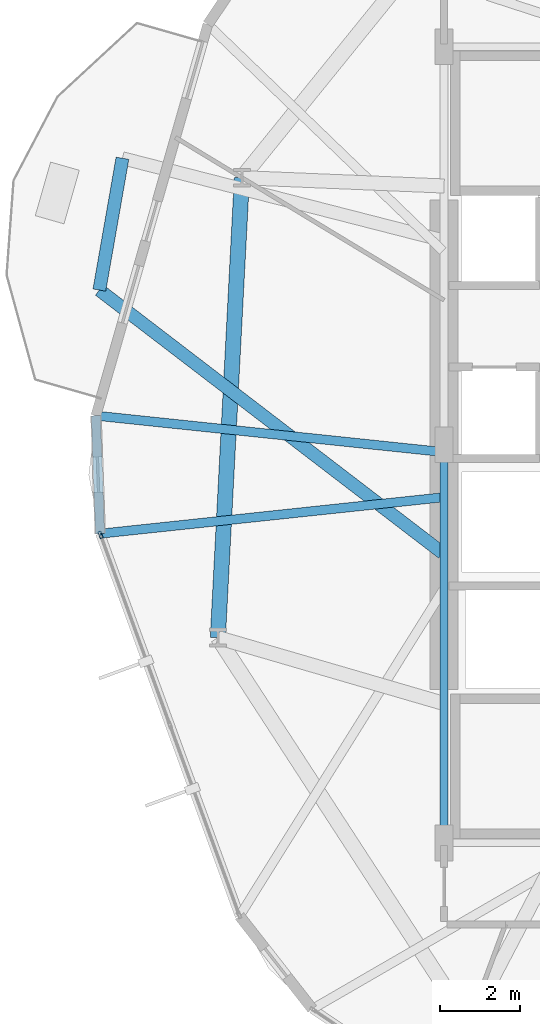
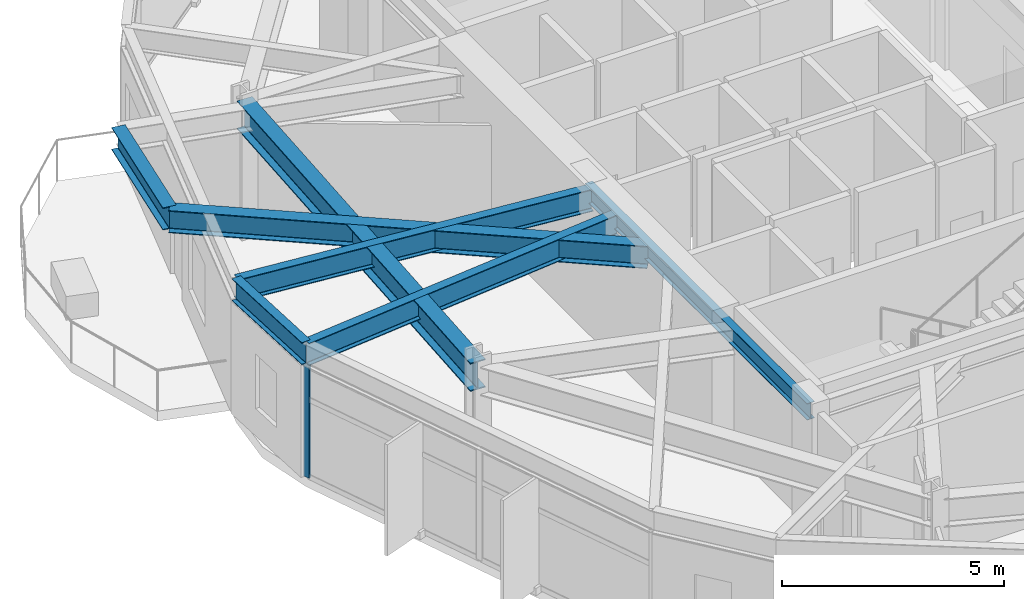
# One storey, part 7 of 21: 7 beams, 1 member, 1 element without a shape of its own.
"""IFC4 building model written with IfcOpenShell, lengths in metres."""

from ifc_helpers import new_model, si_unit, direction, frame, origin, origin_2d, place, context, subcontext, project, spatial, hollow_rectangle, i_section, extrude, material, layer, layer_set, material_profile, profile_set, type_object, element, aggregate, save


model = new_model("IFC4")

# Units and contexts
model_context = context("Model", 3, precision=1e-05, world=origin(), true_north=direction((0.0, 1.0)))
body_context = subcontext(model_context, "Body", "Model", "MODEL_VIEW")
ifc_project = project(units=[si_unit("LENGTHUNIT", "METRE"), si_unit("AREAUNIT", "SQUARE_METRE"), si_unit("VOLUMEUNIT", "CUBIC_METRE"), si_unit("PLANEANGLEUNIT", "RADIAN"), si_unit("MASSUNIT", "GRAM", prefix="KILO")], contexts=[model_context])

# Site, building, storey
site_placement = place(None, origin())
site = spatial("IfcSite", under=ifc_project, at=site_placement, CompositionType="ELEMENT")
building_placement = place(site_placement, origin())
building = spatial("IfcBuilding", under=site, at=building_placement, Name="Soratama Intermodal Tower", CompositionType="ELEMENT")
storey_placement = place(building_placement, frame((0.0, 0.0, 34.60009765625)))
storey = spatial("IfcBuildingStorey", under=building, at=storey_placement, Name="L07", CompositionType="ELEMENT", Elevation=34.60009765625)

# Beams
ifc_material_1 = material(Name="Structural steel ASTM A992 Grade 50", Category="steel")
ifc_material_profile_1 = material_profile(ifc_material_1, i_section(OverallWidth=0.324951171875, OverallDepth=0.615966796875, WebThickness=0.013916015625, FlangeThickness=0.021484375, FilletRadius=0.013916015625, at=origin_2d()), Name="W24X117")
ifc_profile_set_1 = profile_set([ifc_material_profile_1], Name="Structural steel ASTM A992 Grade 50")
beam_type_1 = type_object("IfcBeamType", Name="BM-CANT-W24X117", PredefinedType="BEAM", material=ifc_profile_set_1)
beam_1_placement = place(storey_placement, frame((24.52197265625, 32.197021484375, 3.391845703125), z_axis=(-0.172567076976, -0.984997768497, 0.0), x_axis=(0.984997768497, -0.172567076976, 0.0)))
element("IfcBeam", 1, at=beam_1_placement, inside=storey, type_object=beam_type_1, Name="BM-L07-CBHDR-3", PredefinedType="BEAM", context=body_context, shape_type="SweptSolid", body=[
    extrude(i_section(OverallWidth=0.324951171875, OverallDepth=0.615966796875, WebThickness=0.013916015625, FlangeThickness=0.021484375, FilletRadius=0.013916015625, at=origin_2d()), origin(), (0.0, 0.0, 1.0), 3.361572265625),
])
beam_2_placement = place(storey_placement, frame((32.568115234375, 22.277099609375, 3.391845703125), z_axis=(-0.793808453009, 0.608167855063, 0.0), x_axis=(-0.608167855063, -0.793808453009, 0.0)))
element("IfcBeam", 2, at=beam_2_placement, inside=storey, type_object=beam_type_1, Name="BM-L07-CANT-3-2", PredefinedType="BEAM", context=body_context, shape_type="SweptSolid", body=[
    extrude(i_section(OverallWidth=0.324951171875, OverallDepth=0.615966796875, WebThickness=0.013916015625, FlangeThickness=0.021484375, FilletRadius=0.013916015625, at=origin_2d()), origin(), (0.0, 0.0, 1.0), 10.866943359375),
])
ifc_material_2 = material(Name="Structural steel ASTM A992 Grade 50", Category="steel")
ifc_material_profile_2 = material_profile(ifc_material_2, i_section(OverallWidth=0.19091796875, OverallDepth=0.4599609375, WebThickness=0.010009765625, FlangeThickness=0.01611328125, FilletRadius=0.010986328125, at=origin_2d()), Name="W18X55")
ifc_profile_set_2 = profile_set([ifc_material_profile_2], Name="Structural steel ASTM A992 Grade 50")
beam_type_2 = type_object("IfcBeamType", Name="BM-FLR-W18X55", PredefinedType="BEAM", material=ifc_profile_set_2)
beam_3_placement = place(storey_placement, frame((32.60009765625, 25.0, 3.469970703125), z_axis=(0.0, -1.0, 0.0), x_axis=(1.0, 0.0, 0.0)))
element("IfcBeam", 3, at=beam_3_placement, inside=storey, type_object=beam_type_2, Name="BM-L07-CRING-09", PredefinedType="BEAM", context=body_context, shape_type="SweptSolid", body=[
    extrude(i_section(OverallWidth=0.19091796875, OverallDepth=0.4599609375, WebThickness=0.010009765625, FlangeThickness=0.01611328125, FilletRadius=0.010986328125, at=origin_2d()), origin(), (0.0, 0.0, 1.0), 10.0),
])
ifc_material_3 = material(Name="Structural steel ASTM A992 Grade 50", Category="steel")
ifc_material_profile_3 = material_profile(ifc_material_3, i_section(OverallWidth=0.382080078125, OverallDepth=0.779052734375, WebThickness=0.01806640625, FlangeThickness=0.030029296875, FilletRadius=0.01806640625, at=origin_2d()), Name="W30X191")
ifc_profile_set_3 = profile_set([ifc_material_profile_3], Name="Structural steel ASTM A992 Grade 50")
beam_type_3 = type_object("IfcBeamType", Name="BM-RING-W30X191", PredefinedType="BEAM", material=ifc_profile_set_3)
beam_4_placement = place(storey_placement, frame((27.52294921875, 31.708984375, 3.310302734375), z_axis=(-0.052289698717, -0.998631957935, 0.0), x_axis=(0.998631957935, -0.052289698717, 0.0)))
element("IfcBeam", 4, at=beam_4_placement, inside=storey, type_object=beam_type_3, Name="BM-L07-RING-05", PredefinedType="BEAM", context=body_context, shape_type="SweptSolid", body=[
    extrude(i_section(OverallWidth=0.382080078125, OverallDepth=0.779052734375, WebThickness=0.01806640625, FlangeThickness=0.030029296875, FilletRadius=0.01806640625, at=origin_2d()), origin(), (0.0, 0.0, 1.0), 11.56982421875),
])
ifc_material_4 = material(Name="Structural steel ASTM A992 Grade 50", Category="steel")
ifc_material_profile_4 = material_profile(ifc_material_4, i_section(OverallWidth=0.22900390625, OverallDepth=0.612060546875, WebThickness=0.011962890625, FlangeThickness=0.01953125, FilletRadius=0.012939453125, at=origin_2d()), Name="W24X84")
ifc_profile_set_4 = profile_set([ifc_material_profile_4], Name="Structural steel ASTM A992 Grade 50")
beam_type_4 = type_object("IfcBeamType", Name="BM-SPN-W24X84", PredefinedType="SPANDREL", material=ifc_profile_set_4)
beam_5_placement = place(storey_placement, frame((23.85400390625, 25.73095703125, 3.393798828125), z_axis=(0.035715012738, -0.99936201542, 0.0), x_axis=(0.99936201542, 0.035715012738, 0.0)))
element("IfcBeam", 5, at=beam_5_placement, inside=storey, type_object=beam_type_4, Name="BS-L07-CRN05", PredefinedType="SPANDREL", context=body_context, shape_type="SweptSolid", body=[
    extrude(i_section(OverallWidth=0.22900390625, OverallDepth=0.612060546875, WebThickness=0.011962890625, FlangeThickness=0.01953125, FilletRadius=0.012939453125, at=origin_2d()), origin(), (0.0, 0.0, 1.0), 2.966796875),
])
ifc_material_5 = material(Name="Structural steel ASTM A992 Grade 50", Category="steel")
ifc_material_profile_5 = material_profile(ifc_material_5, i_section(OverallWidth=0.22900390625, OverallDepth=0.612060546875, WebThickness=0.011962890625, FlangeThickness=0.01953125, FilletRadius=0.012939453125, at=origin_2d()), Name="W24X84")
ifc_profile_set_5 = profile_set([ifc_material_profile_5], Name="Structural steel ASTM A992 Grade 50")
beam_type_5 = type_object("IfcBeamType", Name="BM-TIE-W24X84", PredefinedType="BEAM", material=ifc_profile_set_5)
beam_6_placement = place(storey_placement, frame((32.56005859375, 24.819091796875, 3.393798828125), z_axis=(-0.994559571272, 0.104169377417, 0.0), x_axis=(-0.104169377417, -0.994559571272, 0.0)))
element("IfcBeam", 6, at=beam_6_placement, inside=storey, type_object=beam_type_5, Name="BM-L07-TIE1-05", PredefinedType="BEAM", context=body_context, shape_type="SweptSolid", body=[
    extrude(i_section(OverallWidth=0.22900390625, OverallDepth=0.612060546875, WebThickness=0.011962890625, FlangeThickness=0.01953125, FilletRadius=0.012939453125, at=origin_2d()), origin(), (0.0, 0.0, 1.0), 8.753662109375),
])
beam_7_placement = place(storey_placement, frame((32.56005859375, 23.678955078125, 3.393798828125), z_axis=(-0.994413968327, -0.10555027047, 0.0), x_axis=(0.10555027047, -0.994413968327, 0.0)))
element("IfcBeam", 7, at=beam_7_placement, inside=storey, type_object=beam_type_5, Name="BM-L07-TIE0-06", PredefinedType="BEAM", context=body_context, shape_type="SweptSolid", body=[
    extrude(i_section(OverallWidth=0.22900390625, OverallDepth=0.612060546875, WebThickness=0.011962890625, FlangeThickness=0.01953125, FilletRadius=0.012939453125, at=origin_2d()), origin(), (0.0, 0.0, 1.0), 8.6484375),
])

# Curtain wall, member
ifc_material_6 = material(Name="Double-glazed aluminium curtain wall", Category="aluminium")
ifc_layer = layer(ifc_material_6, 0.159912109375)
ifc_layer_set = layer_set([ifc_layer], Name="Double-glazed aluminium curtain wall")
curtain_wall_type = type_object("IfcCurtainWallType", Name="CW-SYS-2", PredefinedType="NOTDEFINED", material=ifc_layer_set)
curtain_wall_placement = place(storey_placement, origin())
curtain_wall = element("IfcCurtainWall", 8, at=curtain_wall_placement, inside=storey, type_object=curtain_wall_type, Name="L07 Faceted Curtain Wall F06", PredefinedType="NOTDEFINED")
ifc_material_7 = material(Name="Anodised aluminium AA 6063-T6", Category="aluminium")
ifc_material_profile_6 = material_profile(ifc_material_7, hollow_rectangle(XDim=0.074951171875, YDim=0.179931640625, WallThickness=0.006103515625, InnerFilletRadius=0.006103515625, OuterFilletRadius=0.011962890625, at=origin_2d()), Name="CWM180X75X6")
ifc_profile_set_6 = profile_set([ifc_material_profile_6], Name="Anodised aluminium AA 6063-T6")
member_type = type_object("IfcMemberType", Name="MT-CWM-2", PredefinedType="MULLION", material=ifc_profile_set_6)
member_placement = place(storey_placement, frame((23.97021484375, 22.738037109375, 0.0), z_axis=(0.0, 0.0, 1.0), x_axis=(0.939452518912, 0.342679098735, 0.0)))
member = element("IfcMember", 9, at=member_placement, type_object=member_type, Name="CW-2 mullion 1", PredefinedType="MULLION", context=body_context, shape_type="SweptSolid", body=[
    extrude(hollow_rectangle(XDim=0.074951171875, YDim=0.179931640625, WallThickness=0.006103515625, InnerFilletRadius=0.006103515625, OuterFilletRadius=0.011962890625, at=origin_2d()), origin(), (0.0, 0.0, 1.0), 3.078857421875),
])
aggregate(curtain_wall, [member])

save(model, "model.ifc")
